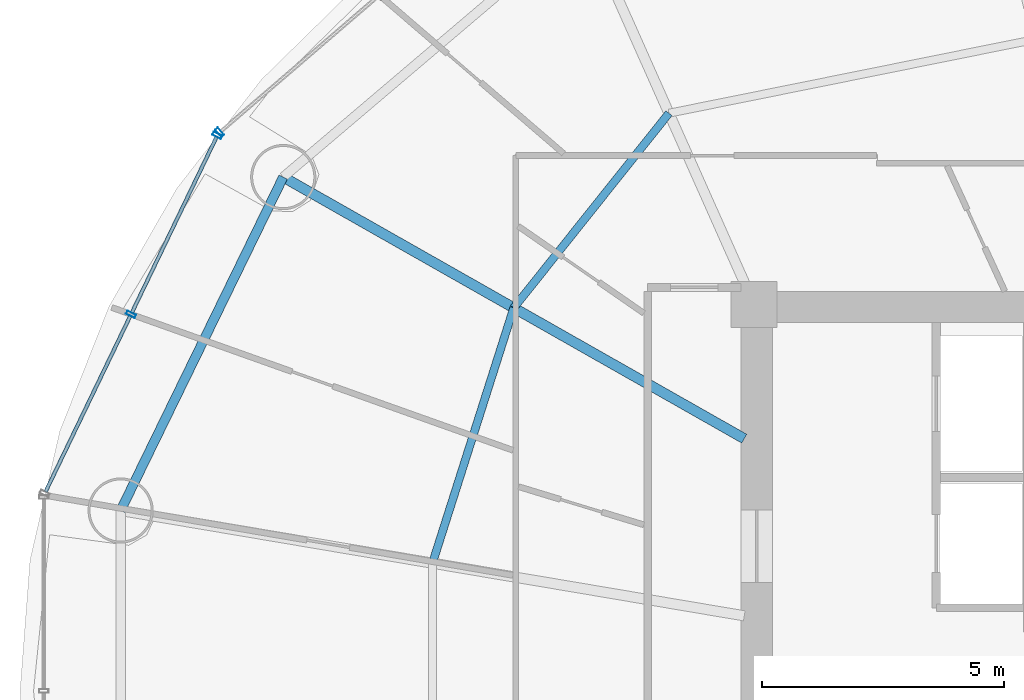
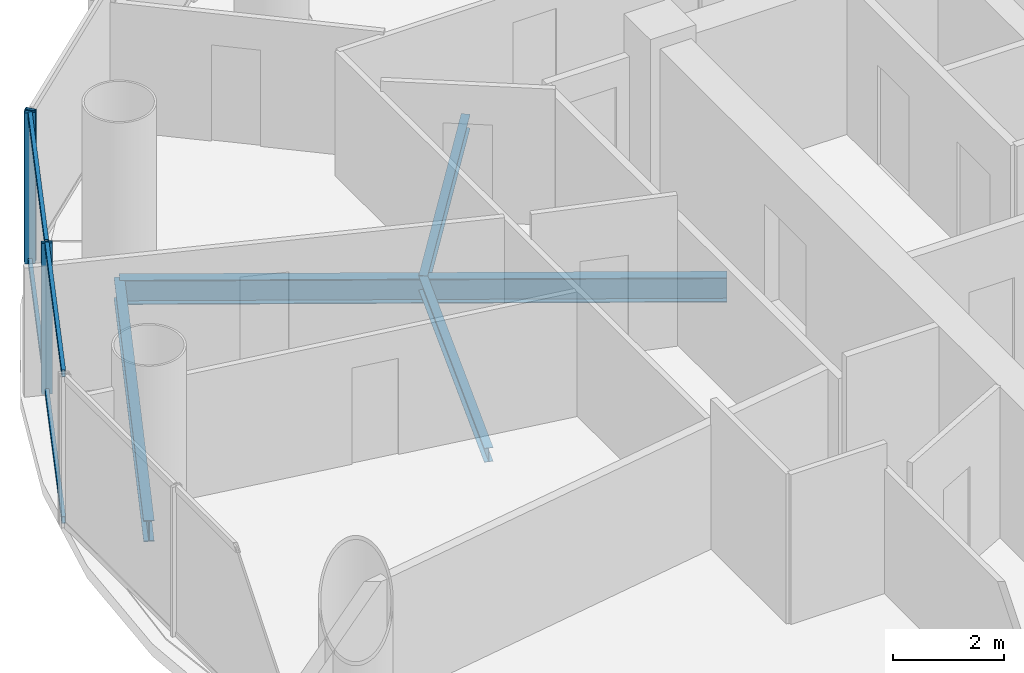
# One storey, part 8 of 26: 7 members, 4 beams, 2 elements without a shape of their own.
"""IFC4 building model written with IfcOpenShell, lengths in metres."""

from ifc_helpers import new_model, si_unit, direction, frame, origin, origin_2d, place, context, subcontext, project, spatial, hollow_rectangle, i_section, extrude, source, transform, mapped, material, material_profile, profile_set, type_object, element, aggregate, save


model = new_model("IFC4")

# Units and contexts
model_context = context("Model", 3, precision=1e-05, world=origin(), true_north=direction((-0.2419218956, 0.970295726276)))
body_context = subcontext(model_context, "Body", "Model", "MODEL_VIEW")
ifc_project = project(units=[si_unit("LENGTHUNIT", "METRE"), si_unit("AREAUNIT", "SQUARE_METRE"), si_unit("VOLUMEUNIT", "CUBIC_METRE"), si_unit("PLANEANGLEUNIT", "RADIAN"), si_unit("MASSUNIT", "GRAM", prefix="KILO")], contexts=[model_context])

# Site, building, storey
site_placement = place(None, origin())
site = spatial("IfcSite", under=ifc_project, at=site_placement, CompositionType="ELEMENT")
building_placement = place(site_placement, origin())
building = spatial("IfcBuilding", under=site, at=building_placement, Name="Cobrevalo Terracotta Tower", CompositionType="ELEMENT")
storey_placement = place(building_placement, frame((0.0, 0.0, 135.39990234375)))
storey = spatial("IfcBuildingStorey", under=building, at=storey_placement, Name="L35", CompositionType="ELEMENT", Elevation=135.39990234375)

# Beams
ifc_material_1 = material(Name="Steel S355", Category="steel")
ifc_material_profile_1 = material_profile(ifc_material_1, i_section(OverallWidth=0.2109375, OverallDepth=0.5390625, WebThickness=0.01171875, FlangeThickness=0.018798828125, at=origin_2d()), Name="W 530x109")
ifc_profile_set_1 = profile_set([ifc_material_profile_1], Name="Steel S355")
beam_type_1 = type_object("IfcBeamType", Name="Structural Beam W 530x109 (Steel S355)", PredefinedType="BEAM", material=ifc_profile_set_1)
beam_1_placement = place(storey_placement, frame((19.250244140625, 37.439208984375, -0.539306640625), z_axis=(0.869734177783, -0.493520475762, 0.0), x_axis=(0.493520475762, 0.869734177783, 0.0)))
element("IfcBeam", 1, at=beam_1_placement, inside=storey, type_object=beam_type_1, Name="L35 radial floor girder 07", PredefinedType="BEAM", context=body_context, shape_type="SweptSolid", body=[
    extrude(i_section(OverallWidth=0.2109375, OverallDepth=0.5390625, WebThickness=0.01171875, FlangeThickness=0.018798828125, at=origin_2d()), origin(), (0.0, 0.0, 1.0), 10.974365234375),
])
ifc_material_profile_2 = material_profile(ifc_material_1, i_section(OverallWidth=0.1650390625, OverallDepth=0.31005859375, WebThickness=0.005859375, FlangeThickness=0.009765625, at=origin_2d()), Name="W 310x38.7")
ifc_profile_set_2 = profile_set([ifc_material_profile_2], Name="Steel S355")
beam_type_2 = type_object("IfcBeamType", Name="Structural Joist W 310x38.7 (Steel S355)", PredefinedType="JOIST", material=ifc_profile_set_2)
beam_2_placement = place(storey_placement, frame((27.23583984375, 38.76123046875, -0.4248046875), z_axis=(-0.62340602772, -0.781898282773, 0.0), x_axis=(0.781898282773, -0.62340602772, 0.0)))
element("IfcBeam", 2, at=beam_2_placement, inside=storey, type_object=beam_type_2, Name="L35 circumferential secondary floor joist 06", PredefinedType="JOIST", context=body_context, shape_type="SweptSolid", body=[
    extrude(i_section(OverallWidth=0.1650390625, OverallDepth=0.31005859375, WebThickness=0.005859375, FlangeThickness=0.009765625, at=origin_2d()), origin(), (0.0, 0.0, 1.0), 5.154052734375),
])
beam_3_placement = place(storey_placement, frame((24.022705078125, 34.731201171875, -0.4248046875), z_axis=(-0.303497928386, -0.952832098255, 0.0), x_axis=(0.952832098255, -0.303497928386, 0.0)))
element("IfcBeam", 3, at=beam_3_placement, inside=storey, type_object=beam_type_2, Name="L35 circumferential secondary floor joist 07", PredefinedType="JOIST", context=body_context, shape_type="SweptSolid", body=[
    extrude(i_section(OverallWidth=0.1650390625, OverallDepth=0.31005859375, WebThickness=0.005859375, FlangeThickness=0.009765625, at=origin_2d()), origin(), (0.0, 0.0, 1.0), 5.54736328125),
])
ifc_material_profile_3 = material_profile(ifc_material_1, i_section(OverallWidth=0.194091796875, OverallDepth=0.468994140625, WebThickness=0.011474609375, FlangeThickness=0.0205078125, at=origin_2d()), Name="W 460x106")
ifc_profile_set_3 = profile_set([ifc_material_profile_3], Name="Steel S355")
beam_type_3 = type_object("IfcBeamType", Name="Structural Spandrel W 460x106 (Steel S355)", PredefinedType="SPANDREL", material=ifc_profile_set_3)
beam_4_placement = place(storey_placement, frame((19.250244140625, 37.439208984375, -0.50439453125), z_axis=(-0.438367894028, -0.89879563277, 0.0), x_axis=(0.89879563277, -0.438367894028, 0.0)))
element("IfcBeam", 4, at=beam_4_placement, inside=storey, type_object=beam_type_3, Name="L35 perimeter ring spandrel 07", PredefinedType="SPANDREL", context=body_context, shape_type="SweptSolid", body=[
    extrude(i_section(OverallWidth=0.194091796875, OverallDepth=0.468994140625, WebThickness=0.011474609375, FlangeThickness=0.0205078125, at=origin_2d()), origin(), (0.0, 0.0, 1.0), 7.6806640625),
])

# Curtain wall, member
ifc_material_2 = material(Name="Anodized aluminium", Category="aluminium")
curtain_wall_type = type_object("IfcCurtainWallType", Name="Mid-tower high-wind unitised curtain wall CW-U2", PredefinedType="NOTDEFINED", material=ifc_material_2)
curtain_wall_1_placement = place(storey_placement, origin())
curtain_wall_1 = element("IfcCurtainWall", 5, at=curtain_wall_1_placement, inside=storey, type_object=curtain_wall_type, Name="L35 curtain wall CW-L35-S06", PredefinedType="NOTDEFINED")
ifc_material_profile_4 = material_profile(ifc_material_2, hollow_rectangle(XDim=0.074951171875, YDim=0.199951171875, WallThickness=0.0048828125, at=origin_2d()), Name="CWM 75x200")
ifc_profile_set_4 = profile_set([ifc_material_profile_4], Name="Anodized aluminium")
member_type_1 = type_object("IfcMemberType", Name="Lower/mid tower unitised mullion 75x200", PredefinedType="MULLION", material=ifc_profile_set_4)
shared_shape_1 = source(origin(), body_context, "Body", "SweptSolid", [
    extrude(hollow_rectangle(XDim=0.074951171875, YDim=0.199951171875, WallThickness=0.0048828125, at=origin_2d()), origin(), (0.0, 0.0, 1.0), 3.330078125),
])
member_1_placement = place(storey_placement, frame((17.933837890625, 38.365234375, 0.0), z_axis=(0.0, 0.0, 1.0), x_axis=(-0.758441546142, -0.65174106905, 0.0)))
member_1 = element("IfcMember", 6, at=member_1_placement, type_object=member_type_1, Name="CW-L35-S06 vertical mullion 03", PredefinedType="MULLION", context=body_context, shape_type="MappedRepresentation", body=[
    mapped(shared_shape_1, transform((0.0, 0.0, 0.0), scale=1.0)),
])
aggregate(curtain_wall_1, [member_1])

# Curtain wall, members
curtain_wall_2_placement = place(storey_placement, origin())
curtain_wall_2 = element("IfcCurtainWall", 7, at=curtain_wall_2_placement, inside=storey, type_object=curtain_wall_type, Name="L35 curtain wall CW-L35-S07", PredefinedType="NOTDEFINED")
member_2_placement = place(storey_placement, frame((17.885986328125, 38.30322265625, 0.0), z_axis=(0.0, 0.0, 1.0), x_axis=(-0.434209440271, -0.900811945957, 0.0)))
member_2 = element("IfcMember", 8, at=member_2_placement, type_object=member_type_1, Name="CW-L35-S07 vertical mullion 01", PredefinedType="MULLION", context=body_context, shape_type="MappedRepresentation", body=[
    mapped(shared_shape_1, transform((0.0, 0.0, 0.0), scale=1.0)),
])
member_3_placement = place(storey_placement, frame((16.098876953125, 34.595703125, 0.0), z_axis=(0.0, 0.0, 1.0), x_axis=(-0.434209440271, -0.900811945957, 0.0)))
member_3 = element("IfcMember", 9, at=member_3_placement, type_object=member_type_1, Name="CW-L35-S07 vertical mullion 02", PredefinedType="MULLION", context=body_context, shape_type="MappedRepresentation", body=[
    mapped(shared_shape_1, transform((0.0, 0.0, 0.0), scale=1.0)),
])
ifc_material_profile_5 = material_profile(ifc_material_2, hollow_rectangle(XDim=0.074951171875, YDim=0.14990234375, WallThickness=0.00439453125, at=origin_2d()), Name="CWT 75x150")
ifc_profile_set_5 = profile_set([ifc_material_profile_5], Name="Anodized aluminium")
member_type_2 = type_object("IfcMemberType", Name="Tower unitised aluminium transom 75x150", PredefinedType="USERDEFINED", material=ifc_profile_set_5)
shared_shape_2 = source(origin(), body_context, "Body", "SweptSolid", [
    extrude(hollow_rectangle(XDim=0.074951171875, YDim=0.14990234375, WallThickness=0.00439453125, at=origin_2d()), origin(), (0.0, 0.0, 1.0), 4.035888671875),
])
member_4_placement = place(storey_placement, frame((17.86865234375, 38.26708984375, 0.050048828125), z_axis=(-0.434221176581, -0.900806288726, 0.0), x_axis=(0.900806288726, -0.434221176581, 0.0)))
member_4 = element("IfcMember", 10, at=member_4_placement, type_object=member_type_2, Name="CW-L35-S07 transom B01-T1", ObjectType="TRANSOM", PredefinedType="USERDEFINED", context=body_context, shape_type="MappedRepresentation", body=[
    mapped(shared_shape_2, transform((0.0, 0.0, 0.0), scale=1.0)),
])
member_5_placement = place(storey_placement, frame((17.86865234375, 38.26708984375, 3.280029296875), z_axis=(-0.434221176581, -0.900806288726, 0.0), x_axis=(0.900806288726, -0.434221176581, 0.0)))
member_5 = element("IfcMember", 11, at=member_5_placement, type_object=member_type_2, Name="CW-L35-S07 transom B01-T2", ObjectType="TRANSOM", PredefinedType="USERDEFINED", context=body_context, shape_type="MappedRepresentation", body=[
    mapped(shared_shape_2, transform((0.0, 0.0, 0.0), scale=1.0)),
])
member_6_placement = place(storey_placement, frame((16.08154296875, 34.5595703125, 0.050048828125), z_axis=(-0.434221176581, -0.900806288726, 0.0), x_axis=(0.900806288726, -0.434221176581, 0.0)))
member_6 = element("IfcMember", 12, at=member_6_placement, type_object=member_type_2, Name="CW-L35-S07 transom B02-T1", ObjectType="TRANSOM", PredefinedType="USERDEFINED", context=body_context, shape_type="MappedRepresentation", body=[
    mapped(shared_shape_2, transform((0.0, 0.0, 0.0), scale=1.0)),
])
member_7_placement = place(storey_placement, frame((16.08154296875, 34.5595703125, 3.280029296875), z_axis=(-0.434221176581, -0.900806288726, 0.0), x_axis=(0.900806288726, -0.434221176581, 0.0)))
member_7 = element("IfcMember", 13, at=member_7_placement, type_object=member_type_2, Name="CW-L35-S07 transom B02-T2", ObjectType="TRANSOM", PredefinedType="USERDEFINED", context=body_context, shape_type="MappedRepresentation", body=[
    mapped(shared_shape_2, transform((0.0, 0.0, 0.0), scale=1.0)),
])
aggregate(curtain_wall_2, [member_2, member_3, member_4, member_5, member_6, member_7])

save(model, "model.ifc")
